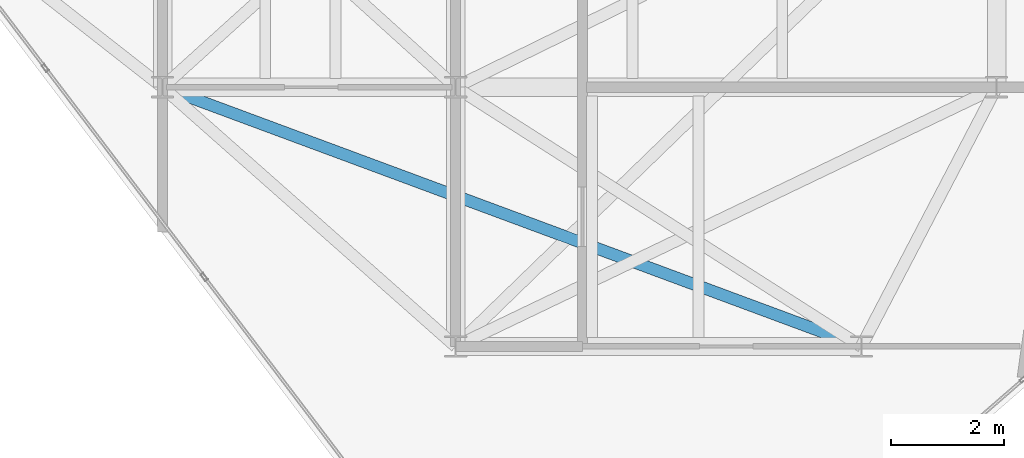
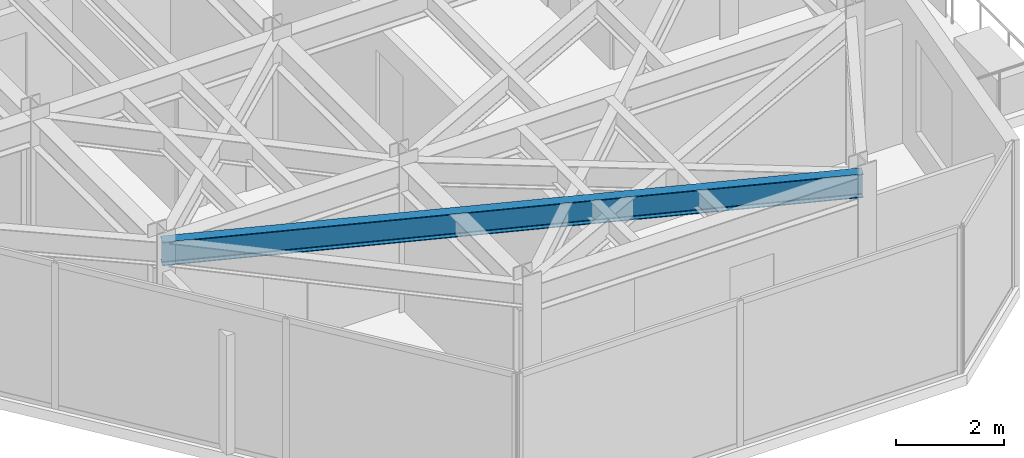
# One storey, part 8 of 16: 1 beam.
"""IFC4 building model written with IfcOpenShell, lengths in metres."""

from ifc_helpers import new_model, si_unit, direction, frame, origin, origin_2d, place, context, subcontext, project, spatial, i_section, extrude, material, material_profile, profile_set, type_object, element, save


model = new_model("IFC4")

# Units and contexts
model_context = context("Model", 3, precision=1e-05, world=origin(), true_north=direction((0.0, 1.0)))
body_context = subcontext(model_context, "Body", "Model", "MODEL_VIEW")
ifc_project = project(units=[si_unit("LENGTHUNIT", "METRE"), si_unit("AREAUNIT", "SQUARE_METRE"), si_unit("VOLUMEUNIT", "CUBIC_METRE"), si_unit("PLANEANGLEUNIT", "RADIAN"), si_unit("MASSUNIT", "GRAM", prefix="KILO")], contexts=[model_context])

# Site, building, storey
site_placement = place(None, origin())
site = spatial("IfcSite", under=ifc_project, at=site_placement, CompositionType="ELEMENT")
building_placement = place(site_placement, origin())
building = spatial("IfcBuilding", under=site, at=building_placement, Name="Kravanh Interchange Tower", CompositionType="ELEMENT")
storey_placement = place(building_placement, frame((0.0, 0.0, 307.5)))
storey = spatial("IfcBuildingStorey", under=building, at=storey_placement, Name="L76", CompositionType="ELEMENT", Elevation=307.5)

# Beam
ifc_material = material(Name="Structural Steel S355", Category="steel")
ifc_material_profile = material_profile(ifc_material, i_section(OverallWidth=0.2099609375, OverallDepth=0.537109375, WebThickness=0.010986328125, FlangeThickness=0.017333984375, FilletRadius=0.02001953125, at=origin_2d()), Name="W21X68")
ifc_profile_set = profile_set([ifc_material_profile], Name="Structural Steel S355")
beam_type = type_object("IfcBeamType", Name="Floor Spandrel W21X68 Structural Steel S355", PredefinedType="SPANDREL", material=ifc_profile_set)
beam_placement = place(storey_placement, frame((50.800048828125, 26.800048828125, 3.051513671875), z_axis=(0.937562917338, -0.347815721372, 0.0), x_axis=(0.347815721372, 0.937562917338, 0.0)))
element("IfcBeam", 1, at=beam_placement, inside=storey, type_object=beam_type, Name="L76 Perimeter Spandrel 21", PredefinedType="SPANDREL", context=body_context, shape_type="SweptSolid", body=[
    extrude(i_section(OverallWidth=0.2099609375, OverallDepth=0.537109375, WebThickness=0.010986328125, FlangeThickness=0.017333984375, FilletRadius=0.02001953125, at=origin_2d()), origin(), (0.0, 0.0, 1.0), 13.2255859375),
])

save(model, "model.ifc")
